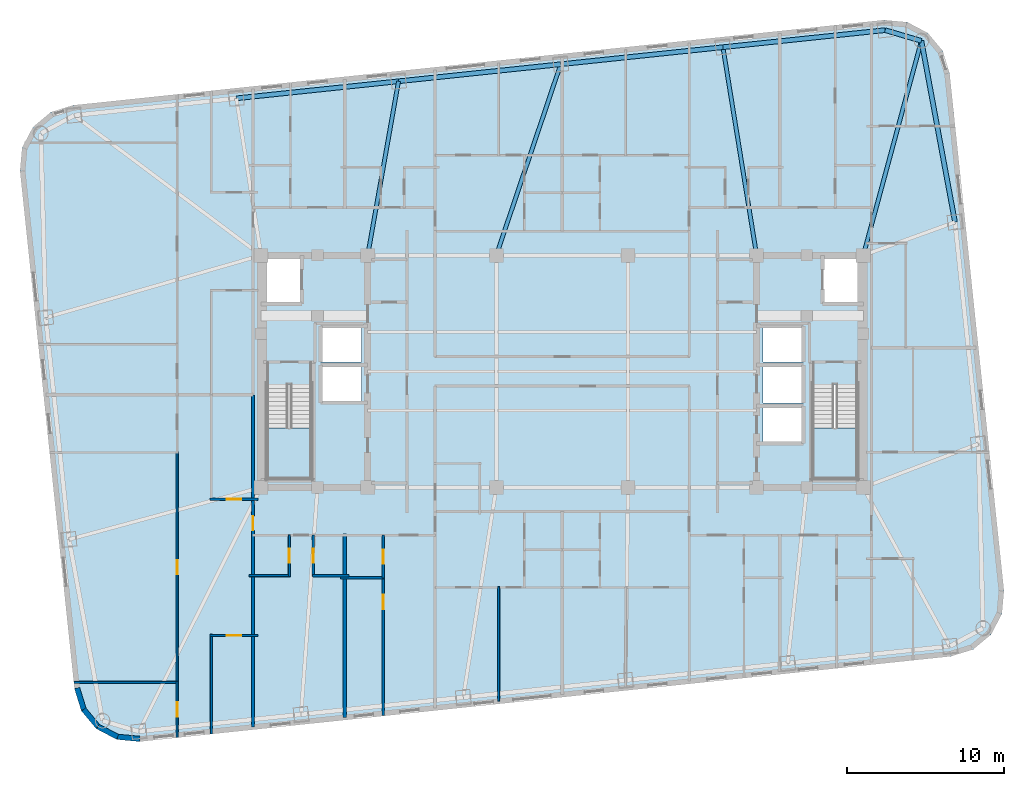
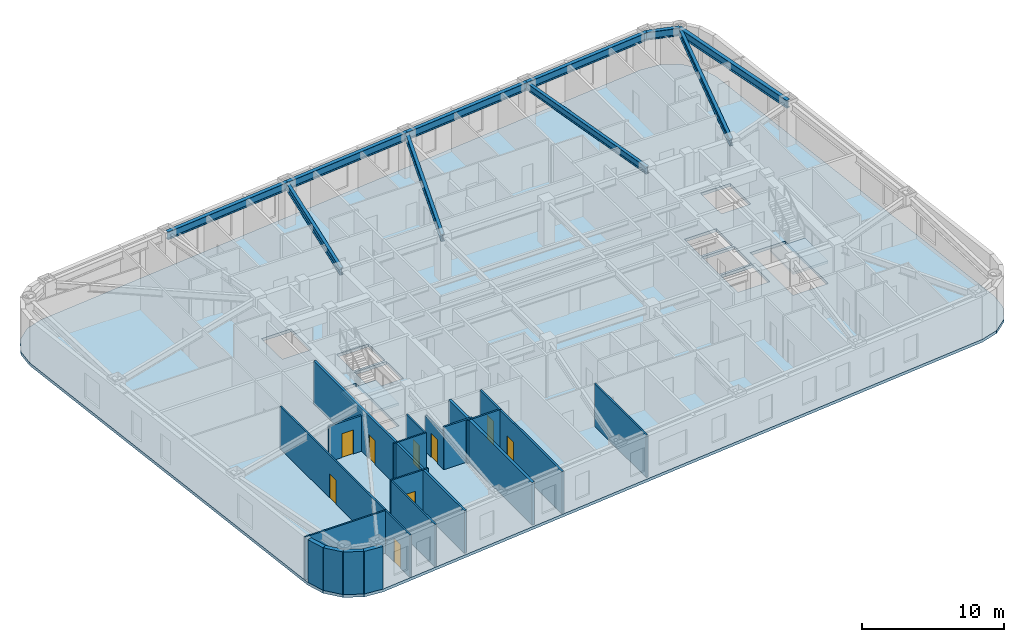
# One storey, part 2 of 11: 20 walls, 10 beams, 9 doors, 3 slabs, 9 openings, 2 elements without a shape of their own.
"""IFC4 building model written with IfcOpenShell, lengths in metres."""

import ifcopenshell
import ifcopenshell.guid

model = None  # the IFC model being written
_history = None  # IfcOwnerHistory: only IFC2X3 demands one
_inside = {}  # id of a spatial element -> (the spatial element, [elements in it])
_under = {}  # id of a project, library or spatial element -> (it, [spatial elements below it])
_declared = {}  # id of a project -> (the project, [libraries it declares])
_typed = {}  # id of a type object -> (the type object, [elements of that type])
_made_of = {}  # id of a material, layer set ... -> (it, [elements and type objects made of it])


def new_model(schema):
    """Start an empty IFC model of exactly this schema.

    Asked for "IFC4X3", IfcOpenShell would pick the latest addendum, in which some entities
    have other attributes; the version numbers below select the first issue.
    IFC2X3 requires an IfcOwnerHistory on every rooted entity: one is made here for all.
    """
    global model, _history
    if schema == "IFC4X3":
        model = ifcopenshell.file(schema_version=(4, 3, 0, 0))
    else:
        model = ifcopenshell.file(schema=schema)
    _inside.clear()
    _under.clear()
    _declared.clear()
    _typed.clear()
    _made_of.clear()
    _history = None
    if model.schema == "IFC2X3":
        org = make("IfcOrganization", Name="unknown")
        user = make(
            "IfcPersonAndOrganization",
            ThePerson=make("IfcPerson", FamilyName="unknown"),
            TheOrganization=org,
        )
        app = make(
            "IfcApplication",
            ApplicationDeveloper=org,
            Version="unknown",
            ApplicationFullName="unknown",
            ApplicationIdentifier="unknown",
        )
        _history = make(
            "IfcOwnerHistory",
            OwningUser=user,
            OwningApplication=app,
            ChangeAction="ADDED",
            CreationDate=0,
        )
    return model


def make(cls, **values):
    """One entity of the class cls with the attributes given. An attribute that is None is left unset."""
    return model.create_entity(
        cls, **{name: value for name, value in values.items() if value is not None}
    )


def rooted(cls, **values):
    """An entity with a GlobalId (a new one), such as an element, a storey or a relation."""
    return make(cls, GlobalId=ifcopenshell.guid.new(), OwnerHistory=_history, **values)


def si_unit(unit_type, name, prefix=None):
    """IfcSIUnit, for example si_unit("LENGTHUNIT", "METRE", prefix="MILLI")."""
    return make("IfcSIUnit", UnitType=unit_type, Prefix=prefix, Name=name)


def assignment(units):
    """IfcUnitAssignment: the units of a project."""
    return None if units is None else make("IfcUnitAssignment", Units=units)


def point(xyz):
    """IfcCartesianPoint."""
    return None if xyz is None else make("IfcCartesianPoint", Coordinates=xyz)


def direction(xyz):
    """IfcDirection."""
    return None if xyz is None else make("IfcDirection", DirectionRatios=xyz)


def frame(location, z_axis=None, x_axis=None):
    """IfcAxis2Placement3D, a coordinate frame: its origin and axes. An axis left out is left unset."""
    return make(
        "IfcAxis2Placement3D",
        Location=point(location),
        Axis=direction(z_axis),
        RefDirection=direction(x_axis),
    )


def frame_2d(location, x_axis=None):
    """IfcAxis2Placement2D, a coordinate frame in the plane: its origin and x axis."""
    return make(
        "IfcAxis2Placement2D", Location=point(location), RefDirection=direction(x_axis)
    )


def origin():
    """The frame at (0, 0, 0) with its axes left unset."""
    return frame((0.0, 0.0, 0.0))


def origin_2d():
    """The frame at (0, 0) in the plane with its x axis left unset."""
    return frame_2d((0.0, 0.0))


def place(relative_to, where):
    """IfcLocalPlacement: puts the frame where relative to a parent placement (None: the world)."""
    return make(
        "IfcLocalPlacement", PlacementRelTo=relative_to, RelativePlacement=where
    )


def context(
    kind, dimensions, precision=None, world=None, true_north=None, identifier=None
):
    """IfcGeometricRepresentationContext, for example the 3D "Model" context."""
    return make(
        "IfcGeometricRepresentationContext",
        ContextIdentifier=identifier,
        ContextType=kind,
        CoordinateSpaceDimension=dimensions,
        Precision=precision,
        WorldCoordinateSystem=world,
        TrueNorth=true_north,
    )


def subcontext(parent, identifier, kind, view, scale=None):
    """IfcGeometricRepresentationSubContext, for example "Body" below "Model"."""
    return make(
        "IfcGeometricRepresentationSubContext",
        ContextIdentifier=identifier,
        ContextType=kind,
        ParentContext=parent,
        TargetScale=scale,
        TargetView=view,
    )


def project(units=None, contexts=None):
    """IfcProject with its units and contexts."""
    return rooted(
        "IfcProject",
        Name="project",
        RepresentationContexts=contexts,
        UnitsInContext=assignment(units),
    )


def spatial(cls, under=None, at=None, **own):
    """A site, building, storey or space (cls), placed at a placement, below another one or the project."""
    s = rooted(cls, ObjectPlacement=at, **own)
    if under is not None:
        _under.setdefault(under.id(), (under, []))[1].append(s)
    return s


def polyline(points):
    """IfcPolyline through the points."""
    return make("IfcPolyline", Points=[point(p) for p in points])


def profile(cls, at=None, kind="AREA", **sizes):
    """A parametric profile (cls). Its sizes go by their IFC names, for example OverallWidth=200.0."""
    return make(cls, ProfileType=kind, Position=at, **sizes)


def rectangle(**sizes):
    """IfcRectangleProfileDef."""
    return profile("IfcRectangleProfileDef", **sizes)


def i_section(**sizes):
    """IfcIShapeProfileDef."""
    return profile("IfcIShapeProfileDef", **sizes)


def outline(outer, holes=None, kind="AREA"):
    """IfcArbitraryClosedProfileDef: a profile drawn as a closed curve; with holes, ...WithVoids."""
    if holes is None:
        return make("IfcArbitraryClosedProfileDef", ProfileType=kind, OuterCurve=outer)
    return make(
        "IfcArbitraryProfileDefWithVoids",
        ProfileType=kind,
        OuterCurve=outer,
        InnerCurves=holes,
    )


def extrude(swept, where, along, depth):
    """IfcExtrudedAreaSolid: the profile swept, set in the frame where, extruded along a direction by depth."""
    return make(
        "IfcExtrudedAreaSolid",
        SweptArea=swept,
        Position=where,
        ExtrudedDirection=direction(along),
        Depth=depth,
    )


def shape(context_of_items, identifier, shape_type, items):
    """IfcShapeRepresentation: the items that make up one representation, for example the "Body"."""
    return make(
        "IfcShapeRepresentation",
        ContextOfItems=context_of_items,
        RepresentationIdentifier=identifier,
        RepresentationType=shape_type,
        Items=items,
    )


def material(Name=None, Category=None):
    """IfcMaterial."""
    return make("IfcMaterial", Name=Name, Category=Category)


def layer(
    of_material, thickness, ventilated=None, Name=None, Category=None, Priority=None
):
    """IfcMaterialLayer: one layer of a wall or slab, of a material (None: an air gap)."""
    return make(
        "IfcMaterialLayer",
        Material=of_material,
        LayerThickness=thickness,
        IsVentilated=ventilated,
        Name=Name,
        Category=Category,
        Priority=Priority,
    )


def layer_set(layers, Name=None):
    """IfcMaterialLayerSet."""
    return make("IfcMaterialLayerSet", MaterialLayers=layers, LayerSetName=Name)


def material_profile(
    of_material, cross_section, Name=None, Category=None, Priority=None
):
    """IfcMaterialProfile: a cross section and its material."""
    return make(
        "IfcMaterialProfile",
        Name=Name,
        Material=of_material,
        Profile=cross_section,
        Priority=Priority,
        Category=Category,
    )


def profile_set(profiles, Name=None, composite=None):
    """IfcMaterialProfileSet."""
    return make(
        "IfcMaterialProfileSet",
        Name=Name,
        MaterialProfiles=profiles,
        CompositeProfile=composite,
    )


def made_of(thing, what):
    """Note that an element or type object is made of a material, layer set ...; save() writes the relation."""
    if what is not None:
        _made_of.setdefault(what.id(), (what, []))[1].append(thing)
    return thing


def type_object(cls, material=None, **own):
    """A type object (cls), such as IfcWallType, which elements share."""
    return made_of(rooted(cls, **own), material)


def element(
    cls,
    number,
    at=None,
    inside=None,
    cuts=None,
    type_object=None,
    material=None,
    context=None,
    identifier="Body",
    shape_type=None,
    held_by="IfcProductDefinitionShape",
    body=None,
    shapes=None,
    **own,
):
    """One element of the class cls, such as IfcWall. Its Tag is "e" and its number.

    at: its placement. inside: the storey or other place that contains it. cuts: it is an
    opening in that element (IfcRelVoidsElement). A single representation is given by context,
    identifier, shape_type and body (its items); several are given by shapes. held_by: the class
    of the entity that holds the representations. save() writes the other relations.
    """
    e = rooted(cls, Tag="e%d" % number, ObjectPlacement=at, **own)
    if body is not None:
        shapes = [shape(context, identifier, shape_type, body)]
    if shapes is not None:
        e.Representation = make(held_by, Representations=shapes)
    if inside is not None:
        _inside.setdefault(inside.id(), (inside, []))[1].append(e)
    if cuts is not None:
        rooted(
            "IfcRelVoidsElement", RelatingBuildingElement=cuts, RelatedOpeningElement=e
        )
    if type_object is not None:
        _typed.setdefault(type_object.id(), (type_object, []))[1].append(e)
    return made_of(e, material)


def fill(opening, filler):
    """IfcRelFillsElement: the door or window that sits in an opening."""
    return rooted(
        "IfcRelFillsElement",
        RelatingOpeningElement=opening,
        RelatedBuildingElement=filler,
    )


def aggregate(whole, parts):
    """IfcRelAggregates: a whole, such as a stair, and the parts it consists of."""
    return rooted("IfcRelAggregates", RelatingObject=whole, RelatedObjects=parts)


def save(model, path):
    """Write the relations noted so far, then the file.

    IfcRelAggregates (storeys below a building ...), IfcRelContainedInSpatialStructure (elements
    in a storey), IfcRelDefinesByType, IfcRelAssociatesMaterial and IfcRelDeclares: one each for
    every whole, place, type object, material and project.
    """
    for whole, parts in _under.values():
        aggregate(whole, parts)
    for where, things in _inside.values():
        rooted(
            "IfcRelContainedInSpatialStructure",
            RelatedElements=things,
            RelatingStructure=where,
        )
    for kind, things in _typed.values():
        rooted("IfcRelDefinesByType", RelatedObjects=things, RelatingType=kind)
    for what, things in _made_of.values():
        rooted("IfcRelAssociatesMaterial", RelatedObjects=things, RelatingMaterial=what)
    for by, libraries in _declared.values():
        rooted("IfcRelDeclares", RelatingContext=by, RelatedDefinitions=libraries)
    model.write(path)


model = new_model("IFC4")

# Units and contexts
model_context = context("Model", 3, precision=1e-05, world=origin(), true_north=direction((0.0, 1.0)))
body_context = subcontext(model_context, "Body", "Model", "MODEL_VIEW")
ifc_project = project(units=[si_unit("LENGTHUNIT", "METRE"), si_unit("AREAUNIT", "SQUARE_METRE"), si_unit("VOLUMEUNIT", "CUBIC_METRE"), si_unit("PLANEANGLEUNIT", "RADIAN"), si_unit("MASSUNIT", "GRAM", prefix="KILO")], contexts=[model_context])

# Site, building, storey
site_placement = place(None, origin())
site = spatial("IfcSite", under=ifc_project, at=site_placement, CompositionType="ELEMENT")
building_placement = place(site_placement, origin())
building = spatial("IfcBuilding", under=site, at=building_placement, Name="Voryun Gate Residences", CompositionType="ELEMENT")
storey_placement = place(building_placement, frame((0.0, 0.0, 163.800048828125)))
storey = spatial("IfcBuildingStorey", under=building, at=storey_placement, Name="L40", CompositionType="ELEMENT", Elevation=163.800048828125)

# Beams
ifc_material_1 = material(Name="Steel SM355", Category="steel")
ifc_material_profile_1 = material_profile(ifc_material_1, i_section(OverallWidth=0.300048828125, OverallDepth=0.679931640625, WebThickness=0.013916015625, FlangeThickness=0.02490234375, FilletRadius=0.01806640625, at=origin_2d()), Name="H-680x300x14x25")
ifc_profile_set_1 = profile_set([ifc_material_profile_1], Name="Steel SM355")
beam_type_1 = type_object("IfcBeamType", Name="BM_EXO_SPANDREL_M", PredefinedType="SPANDREL", material=ifc_profile_set_1)
beam_1_placement = place(storey_placement, frame((25.047119140625, 9.51806640625, 3.31005859375), z_axis=(-0.182267768769, 0.983248931079, 0.0), x_axis=(-0.983248931079, -0.182267768769, 0.0)))
element("IfcBeam", 1, at=beam_1_placement, inside=storey, type_object=beam_type_1, Name="BM-L40-SPAND-09", PredefinedType="SPANDREL", context=body_context, shape_type="SweptSolid", body=[
    extrude(i_section(OverallWidth=0.300048828125, OverallDepth=0.679931640625, WebThickness=0.013916015625, FlangeThickness=0.02490234375, FilletRadius=0.01806640625, at=origin_2d()), origin(), (0.0, 0.0, 1.0), 11.753662109375),
])
beam_2_placement = place(storey_placement, frame((22.90478515625, 21.074951171875, 3.31005859375), z_axis=(-0.958843048967, 0.283936625758, 0.0), x_axis=(-0.283936625758, -0.958843048967, 0.0)))
element("IfcBeam", 2, at=beam_2_placement, inside=storey, type_object=beam_type_1, Name="BM-L40-SPAND-10", PredefinedType="SPANDREL", context=body_context, shape_type="SweptSolid", body=[
    extrude(i_section(OverallWidth=0.300048828125, OverallDepth=0.679931640625, WebThickness=0.013916015625, FlangeThickness=0.02490234375, FilletRadius=0.01806640625, at=origin_2d()), origin(), (0.0, 0.0, 1.0), 2.410888671875),
])
for number, where, z_axis, x_axis, name in (
    (3, (20.593017578125, 21.759521484375, 3.31005859375), (-0.994521263116, -0.104534478571, 0.0), (0.104534478571, -0.994521263116, 0.0), "BM-L40-SPAND-11"),
    (4, (10.25, 20.67236328125, 3.31005859375), (-0.99452370336, -0.10451125994, 0.0), (0.10451125994, -0.99452370336, 0.0), "BM-L40-SPAND-12"),
    (5, (-0.093017578125, 19.58544921875, 3.31005859375), (-0.994521263116, -0.104534478571, 0.0), (0.104534478571, -0.994521263116, 0.0), "BM-L40-SPAND-13"),
    (6, (-10.43603515625, 18.498291015625, 3.31005859375), (-0.994521263116, -0.104534478571, 0.0), (0.104534478571, -0.994521263116, 0.0), "BM-L40-SPAND-14"),
):
    element("IfcBeam", number, at=place(storey_placement, frame(where, z_axis=z_axis, x_axis=x_axis)), inside=storey, type_object=beam_type_1, Name=name, PredefinedType="SPANDREL", context=body_context, shape_type="SweptSolid", body=[
        extrude(i_section(OverallWidth=0.300048828125, OverallDepth=0.679931640625, WebThickness=0.013916015625, FlangeThickness=0.02490234375, FilletRadius=0.01806640625, at=origin_2d()), origin(), (0.0, 0.0, 1.0), 10.39990234375),
    ])
ifc_material_2 = material(Name="Steel SM355", Category="steel")
ifc_material_profile_2 = material_profile(ifc_material_2, i_section(OverallWidth=0.25, OverallDepth=0.60009765625, WebThickness=0.011962890625, FlangeThickness=0.02197265625, FilletRadius=0.01806640625, at=origin_2d()), Name="H-600x250x12x22")
ifc_profile_set_2 = profile_set([ifc_material_profile_2], Name="Steel SM355")
beam_type_2 = type_object("IfcBeamType", Name="BM_GIRD_600", PredefinedType="USERDEFINED", material=ifc_profile_set_2)
beam_3_placement = place(storey_placement, frame((19.199951171875, 7.39990234375, 3.349853515625), z_axis=(0.261492735838, 0.965205443988, 0.0), x_axis=(-0.965205443988, 0.261492735838, 0.0)))
element("IfcBeam", 7, at=beam_3_placement, inside=storey, type_object=beam_type_2, Name="BM-L40-RAD-CNE", ObjectType="GIRDER", PredefinedType="USERDEFINED", context=body_context, shape_type="SweptSolid", body=[
    extrude(i_section(OverallWidth=0.25, OverallDepth=0.60009765625, WebThickness=0.011962890625, FlangeThickness=0.02197265625, FilletRadius=0.01806640625, at=origin_2d()), origin(), (0.0, 0.0, 1.0), 14.16796875),
])
beam_4_placement = place(storey_placement, frame((12.39990234375, 7.39990234375, 3.349853515625), z_axis=(-0.159898055533, 0.987133532931, 0.0), x_axis=(-0.987133532931, -0.159898055533, 0.0)))
element("IfcBeam", 8, at=beam_4_placement, inside=storey, type_object=beam_type_2, Name="BM-L40-RAD-N2", ObjectType="GIRDER", PredefinedType="USERDEFINED", context=body_context, shape_type="SweptSolid", body=[
    extrude(i_section(OverallWidth=0.25, OverallDepth=0.60009765625, WebThickness=0.011962890625, FlangeThickness=0.02197265625, FilletRadius=0.01806640625, at=origin_2d()), origin(), (0.0, 0.0, 1.0), 13.445556640625),
])
beam_5_placement = place(storey_placement, frame((-4.199951171875, 7.39990234375, 3.349853515625), z_axis=(0.319381479956, 0.947626229197, 0.0), x_axis=(-0.947626229197, 0.319381479956, 0.0)))
element("IfcBeam", 9, at=beam_5_placement, inside=storey, type_object=beam_type_2, Name="BM-L40-RAD-N3", ObjectType="GIRDER", PredefinedType="USERDEFINED", context=body_context, shape_type="SweptSolid", body=[
    extrude(i_section(OverallWidth=0.25, OverallDepth=0.60009765625, WebThickness=0.011962890625, FlangeThickness=0.02197265625, FilletRadius=0.01806640625, at=origin_2d()), origin(), (0.0, 0.0, 1.0), 12.859130859375),
])
beam_6_placement = place(storey_placement, frame((-12.39990234375, 7.39990234375, 3.349853515625), z_axis=(0.174243764839, 0.984702549207, 0.0), x_axis=(-0.984702549207, 0.174243764839, 0.0)))
element("IfcBeam", 10, at=beam_6_placement, inside=storey, type_object=beam_type_2, Name="BM-L40-RAD-N4", ObjectType="GIRDER", PredefinedType="USERDEFINED", context=body_context, shape_type="SweptSolid", body=[
    extrude(i_section(OverallWidth=0.25, OverallDepth=0.60009765625, WebThickness=0.011962890625, FlangeThickness=0.02197265625, FilletRadius=0.01806640625, at=origin_2d()), origin(), (0.0, 0.0, 1.0), 11.270751953125),
])

# Slab
ifc_material_3 = material(Name="Concrete C40/50", Category="concrete")
ifc_layer_1 = layer(ifc_material_3, 0.25, Name="SLB_RES_250")
ifc_layer_set_1 = layer_set([ifc_layer_1], Name="Concrete C40/50")
slab_type_1 = type_object("IfcSlabType", Name="SLB_RES_250", PredefinedType="FLOOR", material=ifc_layer_set_1)
slab_1_placement = place(storey_placement, frame((0.0, 0.0, -0.25)))
element("IfcSlab", 11, at=slab_1_placement, inside=storey, type_object=slab_type_1, Name="L40 Structural Floor Slab", PredefinedType="FLOOR", context=body_context, shape_type="SweptSolid", body=[
    extrude(outline(polyline([(-26.92529296875, -23.60595703125), (-28.401611328125, -23.47021484375), (-29.7138671875, -22.780029296875), (-30.661865234375, -21.639892578125), (-31.1015625, -20.22412109375), (-34.572021484375, 12.794189453125), (-34.436279296875, 14.2705078125), (-33.745849609375, 15.582763671875), (-32.60595703125, 16.53076171875), (-31.18994140625, 16.970458984375), (20.525146484375, 22.406005859375), (22.001708984375, 22.270263671875), (23.313720703125, 21.580078125), (24.261962890625, 20.43994140625), (24.70166015625, 19.02392578125), (28.171875, -13.994140625), (28.036376953125, -15.470458984375), (27.345947265625, -16.78271484375), (26.2060546875, -17.730712890625), (24.7900390625, -18.17041015625), (-26.92529296875, -23.60595703125)]), holes=[polyline([(-15.97509765625, -6.85009765625), (-15.97509765625, -0.840087890625), (-18.824951171875, -0.840087890625), (-18.824951171875, -6.85009765625), (-15.97509765625, -6.85009765625)]), polyline([(18.824951171875, -6.85009765625), (18.824951171875, -0.840087890625), (15.97509765625, -0.840087890625), (15.97509765625, -6.85009765625), (18.824951171875, -6.85009765625)]), polyline([(15.39990234375, -2.199951171875), (12.800048828125, -2.199951171875), (12.800048828125, -4.60009765625), (15.39990234375, -4.60009765625), (15.39990234375, -2.199951171875)]), polyline([(-12.800048828125, 0.39990234375), (-15.39990234375, 0.39990234375), (-15.39990234375, -2.0), (-12.800048828125, -2.0), (-12.800048828125, 0.39990234375)]), polyline([(15.39990234375, 0.39990234375), (12.800048828125, 0.39990234375), (12.800048828125, -2.0), (15.39990234375, -2.0), (15.39990234375, 0.39990234375)]), polyline([(-12.800048828125, 2.89990234375), (-15.39990234375, 2.89990234375), (-15.39990234375, 0.60009765625), (-12.800048828125, 0.60009765625), (-12.800048828125, 2.89990234375)]), polyline([(15.39990234375, 2.89990234375), (12.800048828125, 2.89990234375), (12.800048828125, 0.60009765625), (15.39990234375, 0.60009765625), (15.39990234375, 2.89990234375)]), polyline([(-16.60009765625, 4.300048828125), (-16.60009765625, 7.199951171875), (-19.0, 7.199951171875), (-19.0, 4.300048828125), (-16.60009765625, 4.300048828125)]), polyline([(19.0, 4.300048828125), (19.0, 7.199951171875), (16.60009765625, 7.199951171875), (16.60009765625, 4.300048828125), (19.0, 4.300048828125)])]), origin(), (0.0, 0.0, 1.0), 0.25),
])

# Stair, slab
ifc_material_4 = material(Name="Concrete C40/50", Category="concrete")
stair_type = type_object("IfcStairType", Name="STR_CORE_DOGLEG_1350", PredefinedType="HALF_TURN_STAIR", material=ifc_material_4)
stair_1_placement = place(storey_placement, origin())
stair_1 = element("IfcStair", 12, at=stair_1_placement, inside=storey, type_object=stair_type, Name="L40 Special Escape Stair ST-W1", PredefinedType="HALF_TURN_STAIR")
ifc_material_5 = material(Name="Concrete C40/50", Category="concrete")
ifc_layer_2 = layer(ifc_material_5, 0.199951171875, Name="SLB_STAIR_LANDING_200")
ifc_layer_set_2 = layer_set([ifc_layer_2], Name="Concrete C40/50")
slab_type_2 = type_object("IfcSlabType", Name="SLB_STAIR_LANDING_200", PredefinedType="LANDING", material=ifc_layer_set_2)
slab_2_placement = place(storey_placement, frame((0.0, 0.0, 1.75)))
slab_2 = element("IfcSlab", 13, at=slab_2_placement, type_object=slab_type_2, Name="ST-W1 landing 1", PredefinedType="LANDING", context=body_context, shape_type="SweptSolid", body=[
    extrude(outline(polyline([(-18.824951171875, -3.60009765625), (-18.824951171875, -6.85009765625), (-15.97509765625, -6.85009765625), (-15.97509765625, -3.60009765625), (-18.824951171875, -3.60009765625)])), origin(), (0.0, 0.0, 1.0), 0.199951171875),
])
aggregate(stair_1, [slab_2])

stair_2_placement = place(storey_placement, origin())
stair_2 = element("IfcStair", 14, at=stair_2_placement, inside=storey, type_object=stair_type, Name="L40 Special Escape Stair ST-E1", PredefinedType="HALF_TURN_STAIR")
slab_3_placement = place(storey_placement, frame((0.0, 0.0, 1.75)))
slab_3 = element("IfcSlab", 15, at=slab_3_placement, type_object=slab_type_2, Name="ST-E1 landing 1", PredefinedType="LANDING", context=body_context, shape_type="SweptSolid", body=[
    extrude(outline(polyline([(15.97509765625, -3.60009765625), (15.97509765625, -6.85009765625), (18.824951171875, -6.85009765625), (18.824951171875, -3.60009765625), (15.97509765625, -3.60009765625)])), origin(), (0.0, 0.0, 1.0), 0.199951171875),
])
aggregate(stair_2, [slab_3])

# Wall, opening, door
ifc_material_6 = material(Name="Gypsum acoustic fireboard")
ifc_layer_3 = layer(ifc_material_6, 0.179931640625, Name="W_CORR_RATED_180")
ifc_layer_set_3 = layer_set([ifc_layer_3], Name="Gypsum acoustic fireboard")
wall_type_1 = type_object("IfcWallType", Name="W_CORR_RATED_180", PredefinedType="PARTITIONING", material=ifc_layer_set_3)
wall_1_placement = place(storey_placement, frame((-19.719970703125, -22.677734375, 0.0), z_axis=(0.0, 0.0, 1.0), x_axis=(0.0, 1.0, 0.0)))
wall_1 = element("IfcWall", 16, at=wall_1_placement, inside=storey, type_object=wall_type_1, Name="Partition wall WP-L40-WCOR1", PredefinedType="PARTITIONING", context=body_context, shape_type="SweptSolid", body=[
    extrude(rectangle(XDim=21.177734375, YDim=0.179931640625, at=frame_2d((10.5888671875, 0.0))), origin(), (0.0, 0.0, 1.0), 3.64990234375),
])
opening_1_placement = place(wall_1_placement, frame((12.546875, 0.0, 0.0)))
opening_1 = element("IfcOpeningElement", 17, at=opening_1_placement, cuts=wall_1, Name="Opening D-INT-2", PredefinedType="OPENING", context=body_context, shape_type="SweptSolid", body=[
    extrude(rectangle(XDim=0.89990234375, YDim=2.050048828125, at=frame_2d((0.449951171875, 1.02490234375))), frame((0.0, 0.099853515625, 0.0), z_axis=(0.0, -1.0, 0.0), x_axis=(1.0, 0.0, 0.0)), (0.0, 0.0, 1.0), 0.199951171875),
])
ifc_material_7 = material(Name="Architectural oak veneer")
door_type_1 = type_object("IfcDoorType", Name="DR_INT_BATH_900", OperationType="NOTDEFINED", PredefinedType="DOOR", material=ifc_material_7)
door_1_placement = place(opening_1_placement, origin())
door_1 = element("IfcDoor", 18, at=door_1_placement, inside=storey, type_object=door_type_1, Name="Door DR-L40-WE1", OperationType="SINGLE_SWING_LEFT", OverallHeight=2.050048828125, OverallWidth=0.89990234375, PredefinedType="DOOR", context=body_context, shape_type="SweptSolid", body=[
    extrude(rectangle(XDim=0.89990234375, YDim=2.050048828125, at=frame_2d((0.449951171875, 1.02490234375))), frame((0.0, 0.02490234375, 0.0), z_axis=(0.0, -1.0, 0.0), x_axis=(1.0, 0.0, 0.0)), (0.0, 0.0, 1.0), 0.050048828125),
])
fill(opening_1, door_1)

# Walls
ifc_material_8 = material(Name="Charcoal terracotta masonry", Category="masonry")
ifc_layer_4 = layer(ifc_material_8, 0.340087890625, Name="W_EXT_TERRACOTTA_340")
ifc_layer_set_4 = layer_set([ifc_layer_4], Name="Charcoal terracotta masonry")
wall_type_2 = type_object("IfcWallType", Name="W_EXT_TERRACOTTA_340", PredefinedType="ELEMENTEDWALL", material=ifc_layer_set_4)
wall_2_placement = place(storey_placement, frame((-26.92626953125, -23.435302734375, 0.0), z_axis=(0.0, 0.0, 1.0), x_axis=(-0.995800460351, 0.091550222087, 0.0)))
element("IfcWall", 19, at=wall_2_placement, inside=storey, type_object=wall_type_2, Name="Exterior wall WEXT-L40-02", PredefinedType="ELEMENTEDWALL", context=body_context, shape_type="SweptSolid", body=[
    extrude(rectangle(XDim=1.43212890625, YDim=0.340087890625, at=frame_2d((0.716064453125, 0.0))), origin(), (0.0, 0.0, 1.0), 3.64990234375),
])
wall_3_placement = place(storey_placement, frame((-28.352294921875, -23.30419921875, 0.0), z_axis=(0.0, 0.0, 1.0), x_axis=(-0.884989312682, 0.465611336243, 0.0)))
element("IfcWall", 20, at=wall_3_placement, inside=storey, type_object=wall_type_2, Name="Exterior wall WEXT-L40-03", PredefinedType="ELEMENTEDWALL", context=body_context, shape_type="SweptSolid", body=[
    extrude(rectangle(XDim=1.415283203125, YDim=0.340087890625, at=frame_2d((0.70751953125, 0.0))), origin(), (0.0, 0.0, 1.0), 3.64990234375),
])
wall_4_placement = place(storey_placement, frame((-29.604736328125, -22.645263671875, 0.0), z_axis=(0.0, 0.0, 1.0), x_axis=(-0.639437361921, 0.768843196093, 0.0)))
element("IfcWall", 21, at=wall_4_placement, inside=storey, type_object=wall_type_2, Name="Exterior wall WEXT-L40-04", PredefinedType="ELEMENTEDWALL", context=body_context, shape_type="SweptSolid", body=[
    extrude(rectangle(XDim=1.4150390625, YDim=0.340087890625, at=frame_2d((0.70751953125, 0.0))), origin(), (0.0, 0.0, 1.0), 3.64990234375),
])
wall_5_placement = place(storey_placement, frame((-30.509521484375, -21.557373046875, 0.0), z_axis=(0.0, 0.0, 1.0), x_axis=(-0.296624409546, 0.9549942197, 0.0)))
element("IfcWall", 22, at=wall_5_placement, inside=storey, type_object=wall_type_2, Name="Exterior wall WEXT-L40-05", PredefinedType="ELEMENTEDWALL", context=body_context, shape_type="SweptSolid", body=[
    extrude(rectangle(XDim=1.43212890625, YDim=0.340087890625, at=frame_2d((0.716064453125, 0.0))), origin(), (0.0, 0.0, 1.0), 3.64990234375),
])
ifc_material_9 = material(Name="Concrete C40/50", Category="concrete")
ifc_layer_5 = layer(ifc_material_9, 0.219970703125, Name="W_PARTY_ACOUSTIC_220")
ifc_layer_set_5 = layer_set([ifc_layer_5], Name="Concrete C40/50")
wall_type_3 = type_object("IfcWallType", Name="W_PARTY_ACOUSTIC_220", PredefinedType="PARTITIONING", material=ifc_layer_set_5)
wall_6_placement = place(storey_placement, frame((-13.864990234375, -22.0625, 0.0), z_axis=(0.0, 0.0, 1.0), x_axis=(0.0, 1.0, 0.0)))
element("IfcWall", 23, at=wall_6_placement, inside=storey, type_object=wall_type_3, Name="Partition wall WP-L40-SPTY-1", PredefinedType="PARTITIONING", context=body_context, shape_type="SweptSolid", body=[
    extrude(rectangle(XDim=11.6923828125, YDim=0.219970703125, at=frame_2d((5.84619140625, 0.0))), origin(), (0.0, 0.0, 1.0), 3.64990234375),
])

# Wall, opening, door
ifc_material_10 = material(Name="Gypsum acoustic partition")
ifc_layer_6 = layer(ifc_material_10, 0.125, Name="W_UNIT_PART_125")
ifc_layer_set_6 = layer_set([ifc_layer_6], Name="Gypsum acoustic partition")
wall_type_4 = type_object("IfcWallType", Name="W_UNIT_PART_125", PredefinedType="PARTITIONING", material=ifc_layer_set_6)
wall_7_placement = place(storey_placement, frame((-17.39990234375, -13.080078125, 0.0), z_axis=(0.0, 0.0, 1.0), x_axis=(0.0, 1.0, 0.0)))
wall_7 = element("IfcWall", 24, at=wall_7_placement, inside=storey, type_object=wall_type_4, Name="Partition wall WP-L40-S1-CVK", PredefinedType="PARTITIONING", context=body_context, shape_type="SweptSolid", body=[
    extrude(rectangle(XDim=2.650146484375, YDim=0.125, at=frame_2d((1.3251953125, 0.0))), origin(), (0.0, 0.0, 1.0), 3.64990234375),
])
opening_2_placement = place(wall_7_placement, frame((0.875, 0.0, 0.0)))
opening_2 = element("IfcOpeningElement", 25, at=opening_2_placement, cuts=wall_7, Name="Opening D-INT-2", PredefinedType="OPENING", context=body_context, shape_type="SweptSolid", body=[
    extrude(rectangle(XDim=0.89990234375, YDim=2.050048828125, at=frame_2d((0.449951171875, 1.02490234375))), frame((0.0, 0.072509765625, 0.0), z_axis=(0.0, -1.0, 0.0), x_axis=(1.0, 0.0, 0.0)), (0.0, 0.0, 1.0), 0.14501953125),
])
door_2_placement = place(opening_2_placement, origin())
door_2 = element("IfcDoor", 26, at=door_2_placement, inside=storey, type_object=door_type_1, Name="Door DR-L40-S1-DK", OperationType="SINGLE_SWING_LEFT", OverallHeight=2.050048828125, OverallWidth=0.89990234375, PredefinedType="DOOR", context=body_context, shape_type="SweptSolid", body=[
    extrude(rectangle(XDim=0.89990234375, YDim=2.050048828125, at=frame_2d((0.449951171875, 1.02490234375))), frame((0.0, 0.02490234375, 0.0), z_axis=(0.0, -1.0, 0.0), x_axis=(1.0, 0.0, 0.0)), (0.0, 0.0, 1.0), 0.050048828125),
])
fill(opening_2, door_2)

# Walls
wall_8_placement = place(storey_placement, frame((-19.969970703125, -13.02001953125, 0.0), z_axis=(0.0, 0.0, 1.0), x_axis=(1.0, 0.0, 0.0)))
element("IfcWall", 27, at=wall_8_placement, inside=storey, type_object=wall_type_4, Name="Partition wall WP-L40-S1-CHK", PredefinedType="PARTITIONING", context=body_context, shape_type="SweptSolid", body=[
    extrude(rectangle(XDim=2.6298828125, YDim=0.125, at=frame_2d((1.31494140625, 0.0))), origin(), (0.0, 0.0, 1.0), 3.64990234375),
])
wall_9_placement = place(storey_placement, frame((-4.050048828125, -21.03076171875, 0.0), z_axis=(0.0, 0.0, 1.0), x_axis=(0.0, 1.0, 0.0)))
element("IfcWall", 28, at=wall_9_placement, inside=storey, type_object=wall_type_4, Name="Partition wall WP-L40-SC1-VBD", PredefinedType="PARTITIONING", context=body_context, shape_type="SweptSolid", body=[
    extrude(rectangle(XDim=7.290771484375, YDim=0.125, at=frame_2d((3.6455078125, 0.0))), origin(), (0.0, 0.0, 1.0), 3.64990234375),
])
wall_10_placement = place(storey_placement, frame((-31.122802734375, -19.8310546875, 0.0), z_axis=(0.0, 0.0, 1.0), x_axis=(1.0, 0.0, 0.0)))
element("IfcWall", 29, at=wall_10_placement, inside=storey, type_object=wall_type_4, Name="Partition wall WP-L40-W1-OH1", PredefinedType="PARTITIONING", context=body_context, shape_type="SweptSolid", body=[
    extrude(rectangle(XDim=6.65283203125, YDim=0.125, at=frame_2d((3.326416015625, 0.0))), origin(), (0.0, 0.0, 1.0), 3.64990234375),
])

# Wall, opening, door
wall_11_placement = place(storey_placement, frame((-24.550048828125, -23.336181640625, 0.0), z_axis=(0.0, 0.0, 1.0), x_axis=(0.0, 1.0, 0.0)))
wall_11 = element("IfcWall", 30, at=wall_11_placement, inside=storey, type_object=wall_type_4, Name="Partition wall WP-L40-W1-OVX1", PredefinedType="PARTITIONING", context=body_context, shape_type="SweptSolid", body=[
    extrude(rectangle(XDim=3.55517578125, YDim=0.125, at=frame_2d((1.777587890625, 0.0))), origin(), (0.0, 0.0, 1.0), 3.64990234375),
])
opening_3_placement = place(wall_11_placement, frame((1.32763671875, 0.0, 0.0)))
opening_3 = element("IfcOpeningElement", 31, at=opening_3_placement, cuts=wall_11, Name="Opening D-INT-2", PredefinedType="OPENING", context=body_context, shape_type="SweptSolid", body=[
    extrude(rectangle(XDim=0.89990234375, YDim=2.050048828125, at=frame_2d((0.449951171875, 1.02490234375))), frame((0.0, 0.072509765625, 0.0), z_axis=(0.0, -1.0, 0.0), x_axis=(1.0, 0.0, 0.0)), (0.0, 0.0, 1.0), 0.14501953125),
])
door_3_placement = place(opening_3_placement, origin())
door_3 = element("IfcDoor", 32, at=door_3_placement, inside=storey, type_object=door_type_1, Name="Door DR-L40-W1-DBD2", OperationType="SINGLE_SWING_LEFT", OverallHeight=2.050048828125, OverallWidth=0.89990234375, PredefinedType="DOOR", context=body_context, shape_type="SweptSolid", body=[
    extrude(rectangle(XDim=0.89990234375, YDim=2.050048828125, at=frame_2d((0.449951171875, 1.02490234375))), frame((0.0, 0.02490234375, 0.0), z_axis=(0.0, -1.0, 0.0), x_axis=(1.0, 0.0, 0.0)), (0.0, 0.0, 1.0), 0.050048828125),
])
fill(opening_3, door_3)

wall_12_placement = place(storey_placement, frame((-24.550048828125, -19.881103515625, 0.0), z_axis=(0.0, 0.0, 1.0), x_axis=(0.0, 1.0, 0.0)))
wall_12 = element("IfcWall", 33, at=wall_12_placement, inside=storey, type_object=wall_type_4, Name="Partition wall WP-L40-W1-OVX2", PredefinedType="PARTITIONING", context=body_context, shape_type="SweptSolid", body=[
    extrude(rectangle(XDim=14.760009765625, YDim=0.125, at=frame_2d((7.3798828125, 0.0))), origin(), (0.0, 0.0, 1.0), 3.64990234375),
])
opening_4_placement = place(wall_12_placement, frame((6.929931640625, 0.0, 0.0)))
opening_4 = element("IfcOpeningElement", 34, at=opening_4_placement, cuts=wall_12, Name="Opening D-INT-2", PredefinedType="OPENING", context=body_context, shape_type="SweptSolid", body=[
    extrude(rectangle(XDim=0.89990234375, YDim=2.050048828125, at=frame_2d((0.449951171875, 1.02490234375))), frame((0.0, 0.072509765625, 0.0), z_axis=(0.0, -1.0, 0.0), x_axis=(1.0, 0.0, 0.0)), (0.0, 0.0, 1.0), 0.14501953125),
])
door_4_placement = place(opening_4_placement, origin())
door_4 = element("IfcDoor", 35, at=door_4_placement, inside=storey, type_object=door_type_1, Name="Door DR-L40-W1-DSTD", OperationType="SINGLE_SWING_RIGHT", OverallHeight=2.050048828125, OverallWidth=0.89990234375, PredefinedType="DOOR", context=body_context, shape_type="SweptSolid", body=[
    extrude(rectangle(XDim=0.89990234375, YDim=2.050048828125, at=frame_2d((0.449951171875, 1.02490234375))), frame((0.0, 0.02490234375, 0.0), z_axis=(0.0, -1.0, 0.0), x_axis=(1.0, 0.0, 0.0)), (0.0, 0.0, 1.0), 0.050048828125),
])
fill(opening_4, door_4)

wall_13_placement = place(storey_placement, frame((-22.449951171875, -16.842041015625, 0.0), z_axis=(0.0, 0.0, 1.0), x_axis=(1.0, 0.0, 0.0)))
wall_13 = element("IfcWall", 36, at=wall_13_placement, inside=storey, type_object=wall_type_4, Name="Partition wall WP-L40-W1-IKA", PredefinedType="PARTITIONING", context=body_context, shape_type="SweptSolid", body=[
    extrude(rectangle(XDim=3.050048828125, YDim=0.125, at=frame_2d((1.52490234375, 0.0))), origin(), (0.0, 0.0, 1.0), 3.64990234375),
])
opening_5_placement = place(wall_13_placement, frame((1.050048828125, 0.0, 0.0)))
opening_5 = element("IfcOpeningElement", 37, at=opening_5_placement, cuts=wall_13, Name="Opening D-INT-1", PredefinedType="OPENING", context=body_context, shape_type="SweptSolid", body=[
    extrude(rectangle(XDim=0.949951171875, YDim=2.050048828125, at=frame_2d((0.47509765625, 1.02490234375))), frame((0.0, 0.072509765625, 0.0), z_axis=(0.0, -1.0, 0.0), x_axis=(1.0, 0.0, 0.0)), (0.0, 0.0, 1.0), 0.14501953125),
])
ifc_material_11 = material(Name="Architectural oak veneer")
door_type_2 = type_object("IfcDoorType", Name="DR_INT_ROOM_950", OperationType="NOTDEFINED", PredefinedType="DOOR", material=ifc_material_11)
door_5_placement = place(opening_5_placement, origin())
door_5 = element("IfcDoor", 38, at=door_5_placement, inside=storey, type_object=door_type_2, Name="Door DR-L40-W1-DK", OperationType="SINGLE_SWING_LEFT", OverallHeight=2.050048828125, OverallWidth=0.949951171875, PredefinedType="DOOR", context=body_context, shape_type="SweptSolid", body=[
    extrude(rectangle(XDim=0.949951171875, YDim=2.050048828125, at=frame_2d((0.47509765625, 1.02490234375))), frame((0.0, 0.02490234375, 0.0), z_axis=(0.0, -1.0, 0.0), x_axis=(1.0, 0.0, 0.0)), (0.0, 0.0, 1.0), 0.050048828125),
])
fill(opening_5, door_5)

# Wall
wall_14_placement = place(storey_placement, frame((-22.3701171875, -23.107177734375, 0.0), z_axis=(0.0, 0.0, 1.0), x_axis=(0.0, 1.0, 0.0)))
element("IfcWall", 39, at=wall_14_placement, inside=storey, type_object=wall_type_4, Name="Partition wall WP-L40-W1-VTA", PredefinedType="PARTITIONING", context=body_context, shape_type="SweptSolid", body=[
    extrude(rectangle(XDim=6.34521484375, YDim=0.125, at=frame_2d((3.172607421875, 0.0))), origin(), (0.0, 0.0, 1.0), 3.64990234375),
])

# Wall, opening, door
ifc_material_12 = material(Name="Gypsum moisture-resistant partition")
ifc_layer_7 = layer(ifc_material_12, 0.14990234375, Name="W_WET_PLUMB_150")
ifc_layer_set_7 = layer_set([ifc_layer_7], Name="Gypsum moisture-resistant partition")
wall_type_5 = type_object("IfcWallType", Name="W_WET_PLUMB_150", PredefinedType="PLUMBINGWALL", material=ifc_layer_set_7)
wall_15_placement = place(storey_placement, frame((-15.8720703125, -13.080078125, 0.0), z_axis=(0.0, 0.0, 1.0), x_axis=(0.0, 1.0, 0.0)))
wall_15 = element("IfcWall", 40, at=wall_15_placement, inside=storey, type_object=wall_type_5, Name="Partition wall WP-L40-S1-CVB", PredefinedType="PLUMBINGWALL", context=body_context, shape_type="SweptSolid", body=[
    extrude(rectangle(XDim=2.650146484375, YDim=0.14990234375, at=frame_2d((1.3251953125, 0.0))), origin(), (0.0, 0.0, 1.0), 3.0400390625),
])
opening_6_placement = place(wall_15_placement, frame((0.875, 0.0, 0.0)))
opening_6 = element("IfcOpeningElement", 41, at=opening_6_placement, cuts=wall_15, Name="Opening D-INT-2", PredefinedType="OPENING", context=body_context, shape_type="SweptSolid", body=[
    extrude(rectangle(XDim=0.89990234375, YDim=2.050048828125, at=frame_2d((0.449951171875, 1.02490234375))), frame((0.0, 0.0849609375, 0.0), z_axis=(0.0, -1.0, 0.0), x_axis=(1.0, 0.0, 0.0)), (0.0, 0.0, 1.0), 0.169921875),
])
door_6_placement = place(opening_6_placement, origin())
door_6 = element("IfcDoor", 42, at=door_6_placement, inside=storey, type_object=door_type_1, Name="Door DR-L40-S1-DB", OperationType="SINGLE_SWING_RIGHT", OverallHeight=2.050048828125, OverallWidth=0.89990234375, PredefinedType="DOOR", context=body_context, shape_type="SweptSolid", body=[
    extrude(rectangle(XDim=0.89990234375, YDim=2.050048828125, at=frame_2d((0.449951171875, 1.02490234375))), frame((0.0, 0.02490234375, 0.0), z_axis=(0.0, -1.0, 0.0), x_axis=(1.0, 0.0, 0.0)), (0.0, 0.0, 1.0), 0.050048828125),
])
fill(opening_6, door_6)

# Walls
wall_16_placement = place(storey_placement, frame((-15.931884765625, -13.02001953125, 0.0), z_axis=(0.0, 0.0, 1.0), x_axis=(1.0, 0.0, 0.0)))
element("IfcWall", 43, at=wall_16_placement, inside=storey, type_object=wall_type_5, Name="Partition wall WP-L40-S1-CHB", PredefinedType="PLUMBINGWALL", context=body_context, shape_type="SweptSolid", body=[
    extrude(rectangle(XDim=2.326904296875, YDim=0.14990234375, at=frame_2d((1.16357421875, 0.0))), origin(), (0.0, 0.0, 1.0), 3.64990234375),
])
wall_17_placement = place(storey_placement, frame((-14.125, -13.14990234375, 0.0), z_axis=(0.0, 0.0, 1.0), x_axis=(1.0, 0.0, 0.0)))
element("IfcWall", 44, at=wall_17_placement, inside=storey, type_object=wall_type_5, Name="Partition wall WP-L40-S2-SKB", PredefinedType="PLUMBINGWALL", context=body_context, shape_type="SweptSolid", body=[
    extrude(rectangle(XDim=2.802001953125, YDim=0.14990234375, at=frame_2d((1.40087890625, 0.0))), origin(), (0.0, 0.0, 1.0), 3.64990234375),
])

# Wall, opening, door
wall_18_placement = place(storey_placement, frame((-11.403076171875, -21.954345703125, 0.0), z_axis=(0.0, 0.0, 1.0), x_axis=(0.0, 1.0, 0.0)))
wall_18 = element("IfcWall", 45, at=wall_18_placement, inside=storey, type_object=wall_type_5, Name="Partition wall WP-L40-S2-SVT1", PredefinedType="PLUMBINGWALL", context=body_context, shape_type="SweptSolid", body=[
    extrude(rectangle(XDim=8.84423828125, YDim=0.14990234375, at=frame_2d((4.422119140625, 0.0))), origin(), (0.0, 0.0, 1.0), 3.64990234375),
])
opening_7_placement = place(wall_18_placement, frame((6.802490234375, 0.0, 0.0)))
opening_7 = element("IfcOpeningElement", 46, at=opening_7_placement, cuts=wall_18, Name="Opening D-INT-2", PredefinedType="OPENING", context=body_context, shape_type="SweptSolid", body=[
    extrude(rectangle(XDim=0.89990234375, YDim=2.050048828125, at=frame_2d((0.449951171875, 1.02490234375))), frame((0.0, 0.0849609375, 0.0), z_axis=(0.0, -1.0, 0.0), x_axis=(1.0, 0.0, 0.0)), (0.0, 0.0, 1.0), 0.169921875),
])
door_7_placement = place(opening_7_placement, origin())
door_7 = element("IfcDoor", 47, at=door_7_placement, inside=storey, type_object=door_type_1, Name="Door DR-L40-S2-DK", OperationType="SINGLE_SWING_LEFT", OverallHeight=2.050048828125, OverallWidth=0.89990234375, PredefinedType="DOOR", context=body_context, shape_type="SweptSolid", body=[
    extrude(rectangle(XDim=0.89990234375, YDim=2.050048828125, at=frame_2d((0.449951171875, 1.02490234375))), frame((0.0, 0.02490234375, 0.0), z_axis=(0.0, -1.0, 0.0), x_axis=(1.0, 0.0, 0.0)), (0.0, 0.0, 1.0), 0.050048828125),
])
fill(opening_7, door_7)

wall_19_placement = place(storey_placement, frame((-11.403076171875, -13.18994140625, 0.0), z_axis=(0.0, 0.0, 1.0), x_axis=(0.0, 1.0, 0.0)))
wall_19 = element("IfcWall", 48, at=wall_19_placement, inside=storey, type_object=wall_type_5, Name="Partition wall WP-L40-S2-SVT2", PredefinedType="PLUMBINGWALL", context=body_context, shape_type="SweptSolid", body=[
    extrude(rectangle(XDim=2.760009765625, YDim=0.14990234375, at=frame_2d((1.3798828125, 0.0))), origin(), (0.0, 0.0, 1.0), 3.64990234375),
])
opening_8_placement = place(wall_19_placement, frame((0.929931640625, 0.0, 0.0)))
opening_8 = element("IfcOpeningElement", 49, at=opening_8_placement, cuts=wall_19, Name="Opening D-INT-2", PredefinedType="OPENING", context=body_context, shape_type="SweptSolid", body=[
    extrude(rectangle(XDim=0.89990234375, YDim=2.050048828125, at=frame_2d((0.449951171875, 1.02490234375))), frame((0.0, 0.0849609375, 0.0), z_axis=(0.0, -1.0, 0.0), x_axis=(1.0, 0.0, 0.0)), (0.0, 0.0, 1.0), 0.169921875),
])
door_8_placement = place(opening_8_placement, origin())
door_8 = element("IfcDoor", 50, at=door_8_placement, inside=storey, type_object=door_type_1, Name="Door DR-L40-S2-DB", OperationType="SINGLE_SWING_RIGHT", OverallHeight=2.050048828125, OverallWidth=0.89990234375, PredefinedType="DOOR", context=body_context, shape_type="SweptSolid", body=[
    extrude(rectangle(XDim=0.89990234375, YDim=2.050048828125, at=frame_2d((0.449951171875, 1.02490234375))), frame((0.0, 0.02490234375, 0.0), z_axis=(0.0, -1.0, 0.0), x_axis=(1.0, 0.0, 0.0)), (0.0, 0.0, 1.0), 0.050048828125),
])
fill(opening_8, door_8)

wall_20_placement = place(storey_placement, frame((-22.449951171875, -8.159912109375, 0.0), z_axis=(0.0, 0.0, 1.0), x_axis=(1.0, 0.0, 0.0)))
wall_20 = element("IfcWall", 51, at=wall_20_placement, inside=storey, type_object=wall_type_5, Name="Partition wall WP-L40-W1-IBB", PredefinedType="PLUMBINGWALL", context=body_context, shape_type="SweptSolid", body=[
    extrude(rectangle(XDim=3.050048828125, YDim=0.14990234375, at=frame_2d((1.52490234375, 0.0))), origin(), (0.0, 0.0, 1.0), 3.0400390625),
])
opening_9_placement = place(wall_20_placement, frame((1.074951171875, 0.0, 0.0)))
opening_9 = element("IfcOpeningElement", 52, at=opening_9_placement, cuts=wall_20, Name="Opening D-INT-2", PredefinedType="OPENING", context=body_context, shape_type="SweptSolid", body=[
    extrude(rectangle(XDim=0.89990234375, YDim=2.050048828125, at=frame_2d((0.449951171875, 1.02490234375))), frame((0.0, 0.0849609375, 0.0), z_axis=(0.0, -1.0, 0.0), x_axis=(1.0, 0.0, 0.0)), (0.0, 0.0, 1.0), 0.169921875),
])
door_9_placement = place(opening_9_placement, origin())
door_9 = element("IfcDoor", 53, at=door_9_placement, inside=storey, type_object=door_type_1, Name="Door DR-L40-W1-DB", OperationType="SINGLE_SWING_RIGHT", OverallHeight=2.050048828125, OverallWidth=0.89990234375, PredefinedType="DOOR", context=body_context, shape_type="SweptSolid", body=[
    extrude(rectangle(XDim=0.89990234375, YDim=2.050048828125, at=frame_2d((0.449951171875, 1.02490234375))), frame((0.0, 0.02490234375, 0.0), z_axis=(0.0, -1.0, 0.0), x_axis=(1.0, 0.0, 0.0)), (0.0, 0.0, 1.0), 0.050048828125),
])
fill(opening_9, door_9)

save(model, "model.ifc")
